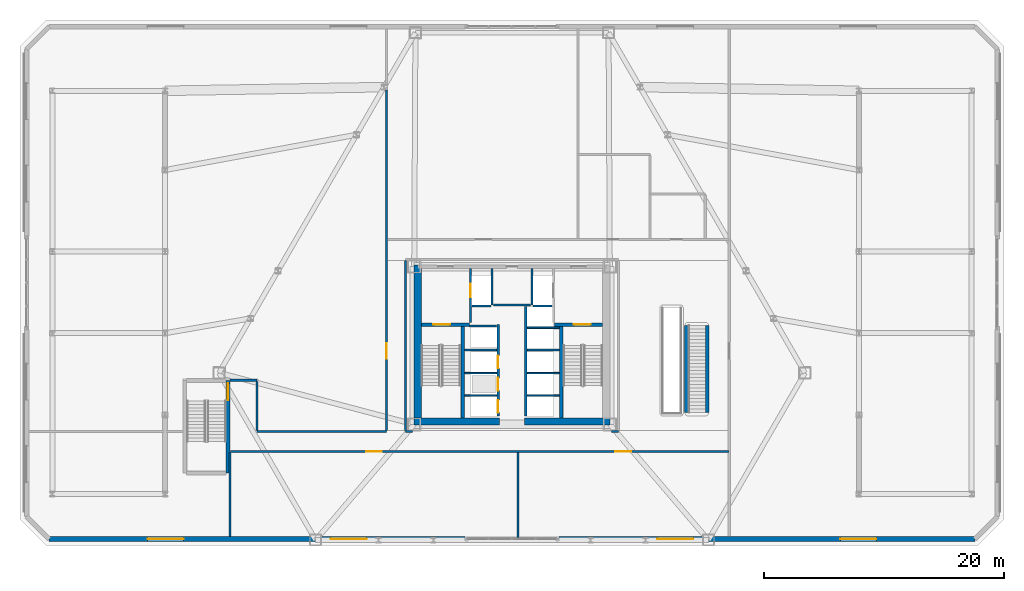
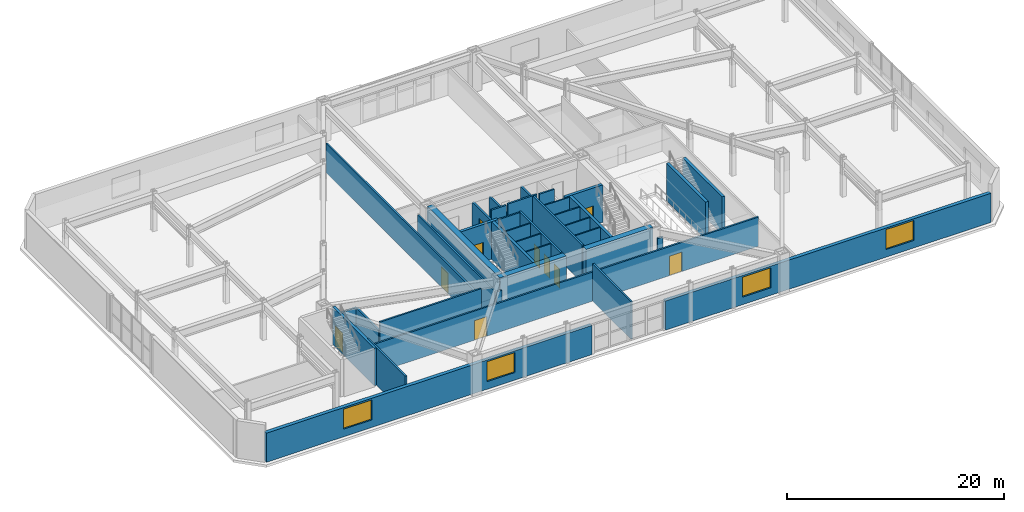
# One storey, part 14 of 21: 38 walls, 10 doors, 4 windows, 14 openings.
"""IFC4 building model written with IfcOpenShell, lengths in metres."""

from ifc_helpers import new_model, si_unit, direction, frame, frame_2d, origin, place, context, subcontext, project, spatial, rectangle, extrude, material, layer, layer_set, type_object, element, fill, save


model = new_model("IFC4")

# Units and contexts
model_context = context("Model", 3, precision=1e-05, world=origin(), true_north=direction((0.0, 1.0)))
body_context = subcontext(model_context, "Body", "Model", "MODEL_VIEW")
ifc_project = project(units=[si_unit("LENGTHUNIT", "METRE"), si_unit("AREAUNIT", "SQUARE_METRE"), si_unit("VOLUMEUNIT", "CUBIC_METRE"), si_unit("PLANEANGLEUNIT", "RADIAN"), si_unit("MASSUNIT", "GRAM", prefix="KILO")], contexts=[model_context])

# Site, building, storey
site_placement = place(None, origin())
site = spatial("IfcSite", under=ifc_project, at=site_placement, CompositionType="ELEMENT")
building_placement = place(site_placement, origin())
building = spatial("IfcBuilding", under=site, at=building_placement, Name="Oramaril Tower", CompositionType="ELEMENT")
storey_placement = place(building_placement, frame((0.0, 0.0, 5.39990234375)))
storey = spatial("IfcBuildingStorey", under=building, at=storey_placement, Name="L01", CompositionType="ELEMENT", Elevation=5.39990234375)

# Wall, openings, windows
ifc_material_1 = material(Name="Warm Cream Limestone", Category="masonry")
ifc_layer_1 = layer(ifc_material_1, 0.3798828125)
ifc_layer_set_1 = layer_set([ifc_layer_1], Name="WT-EXT38")
wall_type_1 = type_object("IfcWallType", Name="WT-EXT38", PredefinedType="SOLIDWALL", material=ifc_layer_set_1)
wall_1_placement = place(storey_placement, frame((-1.072265625, 1.449951171875, 0.0), z_axis=(0.0, 0.0, 1.0), x_axis=(1.0, 0.0, 0.0)))
wall_1 = element("IfcWall", 1, at=wall_1_placement, inside=storey, type_object=wall_type_1, Name="L01 Limestone Facade Wall EW-1A", PredefinedType="SOLIDWALL", context=body_context, shape_type="SweptSolid", body=[
    extrude(rectangle(XDim=34.67236328125, YDim=0.3798828125, at=frame_2d((17.336181640625, 0.0))), origin(), (0.0, 0.0, 1.0), 3.283203125),
])
opening_1_placement = place(wall_1_placement, frame((8.208251953125, 0.0, 0.85009765625)))
opening_1 = element("IfcOpeningElement", 2, at=opening_1_placement, cuts=wall_1, Name="Opening WN-10", PredefinedType="OPENING", context=body_context, shape_type="SweptSolid", body=[
    extrude(rectangle(XDim=3.0, YDim=2.25, at=frame_2d((1.5, 1.125))), frame((0.0, 0.18994140625, 0.0), z_axis=(0.0, -1.0, 0.0), x_axis=(1.0, 0.0, 0.0)), (0.0, 0.0, 1.0), 0.3798828125),
])
opening_2_placement = place(wall_1_placement, frame((23.464111328125, 0.0, 0.85009765625)))
opening_2 = element("IfcOpeningElement", 3, at=opening_2_placement, cuts=wall_1, Name="Opening WN-10", PredefinedType="OPENING", context=body_context, shape_type="SweptSolid", body=[
    extrude(rectangle(XDim=3.0, YDim=2.25, at=frame_2d((1.5, 1.125))), frame((0.0, 0.18994140625, 0.0), z_axis=(0.0, -1.0, 0.0), x_axis=(1.0, 0.0, 0.0)), (0.0, 0.0, 1.0), 0.3798828125),
])
ifc_material_2 = material(Name="Coastal Low-E Insulated Glass", Category="glass")
window_type = type_object("IfcWindowType", Name="WNT-10", PartitioningType="SINGLE_PANEL", PredefinedType="WINDOW", material=ifc_material_2)
window_1_placement = place(opening_1_placement, origin())
window_1 = element("IfcWindow", 4, at=window_1_placement, inside=storey, type_object=window_type, Name="L01 Podium Chicago Window", OverallHeight=2.25, OverallWidth=3.0, PartitioningType="SINGLE_PANEL", PredefinedType="WINDOW", context=body_context, shape_type="SweptSolid", body=[
    extrude(rectangle(XDim=3.0, YDim=2.25, at=frame_2d((1.5, 1.125))), frame((0.0, 0.030029296875, 0.0), z_axis=(0.0, -1.0, 0.0), x_axis=(1.0, 0.0, 0.0)), (0.0, 0.0, 1.0), 0.06005859375),
])
fill(opening_1, window_1)
window_2_placement = place(opening_2_placement, origin())
window_2 = element("IfcWindow", 5, at=window_2_placement, inside=storey, type_object=window_type, Name="L01 Podium Chicago Window", OverallHeight=2.25, OverallWidth=3.0, PartitioningType="SINGLE_PANEL", PredefinedType="WINDOW", context=body_context, shape_type="SweptSolid", body=[
    extrude(rectangle(XDim=3.0, YDim=2.25, at=frame_2d((1.5, 1.125))), frame((0.0, 0.030029296875, 0.0), z_axis=(0.0, -1.0, 0.0), x_axis=(1.0, 0.0, 0.0)), (0.0, 0.0, 1.0), 0.06005859375),
])
fill(opening_2, window_2)

wall_2_placement = place(storey_placement, frame((41.39990234375, 1.449951171875, 0.0), z_axis=(0.0, 0.0, 1.0), x_axis=(1.0, 0.0, 0.0)))
wall_2 = element("IfcWall", 6, at=wall_2_placement, inside=storey, type_object=wall_type_1, Name="L01 Limestone Facade Wall EW-1B", PredefinedType="SOLIDWALL", context=body_context, shape_type="SweptSolid", body=[
    extrude(rectangle(XDim=34.67236328125, YDim=0.3798828125, at=frame_2d((17.336181640625, 0.0))), origin(), (0.0, 0.0, 1.0), 3.283203125),
])
opening_3_placement = place(wall_2_placement, frame((8.208251953125, 0.0, 0.85009765625)))
opening_3 = element("IfcOpeningElement", 7, at=opening_3_placement, cuts=wall_2, Name="Opening WN-10", PredefinedType="OPENING", context=body_context, shape_type="SweptSolid", body=[
    extrude(rectangle(XDim=3.0, YDim=2.25, at=frame_2d((1.5, 1.125))), frame((0.0, 0.18994140625, 0.0), z_axis=(0.0, -1.0, 0.0), x_axis=(1.0, 0.0, 0.0)), (0.0, 0.0, 1.0), 0.3798828125),
])
opening_4_placement = place(wall_2_placement, frame((23.464111328125, 0.0, 0.85009765625)))
opening_4 = element("IfcOpeningElement", 8, at=opening_4_placement, cuts=wall_2, Name="Opening WN-10", PredefinedType="OPENING", context=body_context, shape_type="SweptSolid", body=[
    extrude(rectangle(XDim=3.0, YDim=2.25, at=frame_2d((1.5, 1.125))), frame((0.0, 0.18994140625, 0.0), z_axis=(0.0, -1.0, 0.0), x_axis=(1.0, 0.0, 0.0)), (0.0, 0.0, 1.0), 0.3798828125),
])
window_3_placement = place(opening_3_placement, origin())
window_3 = element("IfcWindow", 9, at=window_3_placement, inside=storey, type_object=window_type, Name="L01 Podium Chicago Window", OverallHeight=2.25, OverallWidth=3.0, PartitioningType="SINGLE_PANEL", PredefinedType="WINDOW", context=body_context, shape_type="SweptSolid", body=[
    extrude(rectangle(XDim=3.0, YDim=2.25, at=frame_2d((1.5, 1.125))), frame((0.0, 0.030029296875, 0.0), z_axis=(0.0, -1.0, 0.0), x_axis=(1.0, 0.0, 0.0)), (0.0, 0.0, 1.0), 0.06005859375),
])
fill(opening_3, window_3)
window_4_placement = place(opening_4_placement, origin())
window_4 = element("IfcWindow", 10, at=window_4_placement, inside=storey, type_object=window_type, Name="L01 Podium Chicago Window", OverallHeight=2.25, OverallWidth=3.0, PartitioningType="SINGLE_PANEL", PredefinedType="WINDOW", context=body_context, shape_type="SweptSolid", body=[
    extrude(rectangle(XDim=3.0, YDim=2.25, at=frame_2d((1.5, 1.125))), frame((0.0, 0.030029296875, 0.0), z_axis=(0.0, -1.0, 0.0), x_axis=(1.0, 0.0, 0.0)), (0.0, 0.0, 1.0), 0.06005859375),
])
fill(opening_4, window_4)

# Walls
ifc_material_3 = material(Name="Acoustic Gypsum Board Partition")
ifc_layer_2 = layer(ifc_material_3, 0.139892578125)
ifc_layer_set_2 = layer_set([ifc_layer_2], Name="WT-PT14")
wall_type_2 = type_object("IfcWallType", Name="WT-PT14", PredefinedType="PARTITIONING", material=ifc_layer_set_2)
for number, where, z_axis, x_axis, name in (
    (11, (33.56005859375, 13.419921875, 0.0), (0.0, 0.0, 1.0), (1.0, 0.0, 0.0), "L01 West Lift Divider"),
    (12, (33.56005859375, 15.27001953125, 0.0), (0.0, 0.0, 1.0), (1.0, 0.0, 0.0), "L01 West Lift Divider"),
    (13, (33.56005859375, 17.199951171875, 0.0), (0.0, 0.0, 1.0), (1.0, 0.0, 0.0), "L01 West Lift Divider"),
    (14, (38.780029296875, 13.419921875, 0.0), (0.0, 0.0, 1.0), (1.0, 0.0, 0.0), "L01 East Lift Divider"),
    (15, (38.780029296875, 15.27001953125, 0.0), (0.0, 0.0, 1.0), (1.0, 0.0, 0.0), "L01 East Lift Divider"),
    (16, (38.780029296875, 17.199951171875, 0.0), (0.0, 0.0, 1.0), (1.0, 0.0, 0.0), "L01 East Lift Divider"),
    (17, (38.780029296875, 19.050048828125, 0.0), (0.0, 0.0, 1.0), (1.0, 0.0, 0.0), "L01 East Lift Divider"),
):
    element("IfcWall", number, at=place(storey_placement, frame(where, z_axis=z_axis, x_axis=x_axis)), inside=storey, type_object=wall_type_2, Name=name, PredefinedType="PARTITIONING", context=body_context, shape_type="SweptSolid", body=[
        extrude(rectangle(XDim=2.659912109375, YDim=0.139892578125, at=frame_2d((1.330078125, 0.0))), origin(), (0.0, 0.0, 1.0), 4.22021484375),
    ])
ifc_material_4 = material(Name="Autoclaved Cellular Concrete Block", Category="concrete")
ifc_layer_3 = layer(ifc_material_4, 0.179931640625)
ifc_layer_set_3 = layer_set([ifc_layer_3], Name="WT-PT18")
wall_type_3 = type_object("IfcWallType", Name="WT-PT18", PredefinedType="PARTITIONING", material=ifc_layer_set_3)
wall_3_placement = place(storey_placement, frame((35.840087890625, 20.9599609375, 0.0), z_axis=(0.0, 0.0, 1.0), x_axis=(0.0, 1.0, 0.0)))
element("IfcWall", 18, at=wall_3_placement, inside=storey, type_object=wall_type_3, Name="L01 FL-1 East Shaft Wall", PredefinedType="PARTITIONING", context=body_context, shape_type="SweptSolid", body=[
    extrude(rectangle(XDim=3.02001953125, YDim=0.179931640625, at=frame_2d((1.510009765625, 0.0))), origin(), (0.0, 0.0, 1.0), 3.260009765625),
])
wall_4_placement = place(storey_placement, frame((34.159912109375, 20.860107421875, 0.0), z_axis=(0.0, 0.0, 1.0), x_axis=(1.0, 0.0, 0.0)))
element("IfcWall", 19, at=wall_4_placement, inside=storey, type_object=wall_type_3, Name="L01 FL-1 South Shaft Wall", PredefinedType="PARTITIONING", context=body_context, shape_type="SweptSolid", body=[
    extrude(rectangle(XDim=1.580078125, YDim=0.179931640625, at=frame_2d((0.7900390625, 0.0))), origin(), (0.0, 0.0, 1.0), 4.22021484375),
])
wall_5_placement = place(storey_placement, frame((39.159912109375, 20.9599609375, 0.0), z_axis=(0.0, 0.0, 1.0), x_axis=(0.0, 1.0, 0.0)))
element("IfcWall", 20, at=wall_5_placement, inside=storey, type_object=wall_type_3, Name="L01 FL-2 West Shaft Wall", PredefinedType="PARTITIONING", context=body_context, shape_type="SweptSolid", body=[
    extrude(rectangle(XDim=3.02001953125, YDim=0.179931640625, at=frame_2d((1.510009765625, 0.0))), origin(), (0.0, 0.0, 1.0), 3.260009765625),
])
wall_6_placement = place(storey_placement, frame((39.260009765625, 20.860107421875, 0.0), z_axis=(0.0, 0.0, 1.0), x_axis=(1.0, 0.0, 0.0)))
element("IfcWall", 21, at=wall_6_placement, inside=storey, type_object=wall_type_3, Name="L01 FL-2 South Shaft Wall", PredefinedType="PARTITIONING", context=body_context, shape_type="SweptSolid", body=[
    extrude(rectangle(XDim=1.580078125, YDim=0.179931640625, at=frame_2d((0.7900390625, 0.0))), origin(), (0.0, 0.0, 1.0), 4.22021484375),
])
wall_7_placement = place(storey_placement, frame((33.949951171875, 19.199951171875, 0.0), z_axis=(0.0, 0.0, 1.0), x_axis=(1.0, 0.0, 0.0)))
element("IfcWall", 22, at=wall_7_placement, inside=storey, type_object=wall_type_3, Name="L01 High-Rise Lift H1 North Shaft Wall", PredefinedType="PARTITIONING", context=body_context, shape_type="SweptSolid", body=[
    extrude(rectangle(XDim=2.27001953125, YDim=0.179931640625, at=frame_2d((1.135009765625, 0.0))), origin(), (0.0, 0.0, 1.0), 4.22021484375),
])
wall_8_placement = place(storey_placement, frame((35.949951171875, 20.949951171875, 0.0), z_axis=(0.0, 0.0, 1.0), x_axis=(1.0, 0.0, 0.0)))
element("IfcWall", 23, at=wall_8_placement, inside=storey, type_object=wall_type_3, Name="L01 Lift Lobby North Partition", PredefinedType="PARTITIONING", context=body_context, shape_type="SweptSolid", body=[
    extrude(rectangle(XDim=3.10009765625, YDim=0.179931640625, at=frame_2d((1.550048828125, 0.0))), origin(), (0.0, 0.0, 1.0), 4.22021484375),
])

# Wall, openings, doors
wall_9_placement = place(storey_placement, frame((14.030029296875, 8.75, 0.0), z_axis=(0.0, 0.0, 1.0), x_axis=(1.0, 0.0, 0.0)))
wall_9 = element("IfcWall", 24, at=wall_9_placement, inside=storey, type_object=wall_type_3, Name="L01 Interior Partition PT-18", PredefinedType="PARTITIONING", context=body_context, shape_type="SweptSolid", body=[
    extrude(rectangle(XDim=41.570068359375, YDim=0.179931640625, at=frame_2d((20.78515625, 0.0))), origin(), (0.0, 0.0, 1.0), 3.283203125),
])
opening_5_placement = place(wall_9_placement, frame((11.3359375, 0.0, 0.0)))
opening_5 = element("IfcOpeningElement", 25, at=opening_5_placement, cuts=wall_9, Name="Opening D-L01-01", PredefinedType="OPENING", context=body_context, shape_type="SweptSolid", body=[
    extrude(rectangle(XDim=1.300048828125, YDim=2.199951171875, at=frame_2d((0.64990234375, 1.10009765625))), frame((0.0, 0.08984375, 0.0), z_axis=(0.0, -1.0, 0.0), x_axis=(1.0, 0.0, 0.0)), (0.0, 0.0, 1.0), 0.179931640625),
])
opening_6_placement = place(wall_9_placement, frame((32.093994140625, 0.0, 0.0)))
opening_6 = element("IfcOpeningElement", 26, at=opening_6_placement, cuts=wall_9, Name="Opening D-L01-02", PredefinedType="OPENING", context=body_context, shape_type="SweptSolid", body=[
    extrude(rectangle(XDim=1.300048828125, YDim=2.199951171875, at=frame_2d((0.64990234375, 1.10009765625))), frame((0.0, 0.08984375, 0.0), z_axis=(0.0, -1.0, 0.0), x_axis=(1.0, 0.0, 0.0)), (0.0, 0.0, 1.0), 0.179931640625),
])
ifc_material_5 = material(Name="FSC Brazilian Freijo Hardwood", Category="wood")
door_type_1 = type_object("IfcDoorType", Name="DT-COM", OperationType="NOTDEFINED", PredefinedType="DOOR", material=ifc_material_5)
door_1_placement = place(opening_5_placement, origin())
door_1 = element("IfcDoor", 27, at=door_1_placement, inside=storey, type_object=door_type_1, Name="L01 L01 Residents Cowork Gallery Door D-L01-01", OperationType="SINGLE_SWING_LEFT", OverallHeight=2.199951171875, OverallWidth=1.300048828125, PredefinedType="DOOR", context=body_context, shape_type="SweptSolid", body=[
    extrude(rectangle(XDim=1.300048828125, YDim=2.199951171875, at=frame_2d((0.64990234375, 1.10009765625))), frame((0.0, 0.02490234375, 0.0), z_axis=(0.0, -1.0, 0.0), x_axis=(1.0, 0.0, 0.0)), (0.0, 0.0, 1.0), 0.050048828125),
])
fill(opening_5, door_1)
door_2_placement = place(opening_6_placement, origin())
door_2 = element("IfcDoor", 28, at=door_2_placement, inside=storey, type_object=door_type_1, Name="L01 L01 Condominium Meeting Suite Door D-L01-02", OperationType="SINGLE_SWING_RIGHT", OverallHeight=2.199951171875, OverallWidth=1.300048828125, PredefinedType="DOOR", context=body_context, shape_type="SweptSolid", body=[
    extrude(rectangle(XDim=1.300048828125, YDim=2.199951171875, at=frame_2d((0.64990234375, 1.10009765625))), frame((0.0, 0.02490234375, 0.0), z_axis=(0.0, -1.0, 0.0), x_axis=(1.0, 0.0, 0.0)), (0.0, 0.0, 1.0), 0.050048828125),
])
fill(opening_6, door_2)

# Walls
wall_10_placement = place(storey_placement, frame((16.25, 10.39990234375, 0.0), z_axis=(0.0, 0.0, 1.0), x_axis=(1.0, 0.0, 0.0)))
element("IfcWall", 29, at=wall_10_placement, inside=storey, type_object=wall_type_3, Name="L01 Interior Partition PT-18", PredefinedType="PARTITIONING", context=body_context, shape_type="SweptSolid", body=[
    extrude(rectangle(XDim=10.800048828125, YDim=0.179931640625, at=frame_2d((5.39990234375, 0.0))), origin(), (0.0, 0.0, 1.0), 4.22021484375),
])
for number, where, z_axis, x_axis, name in (
    (30, (28.6201171875, 10.39990234375, 0.0), (0.0, 0.0, 1.0), (1.0, 0.0, 0.0), "L01 Interior Partition PT-18"),
    (31, (45.800048828125, 10.39990234375, 0.0), (0.0, 0.0, 1.0), (1.0, 0.0, 0.0), "L01 Interior Partition PT-18"),
):
    element("IfcWall", number, at=place(storey_placement, frame(where, z_axis=z_axis, x_axis=x_axis)), inside=storey, type_object=wall_type_3, Name=name, PredefinedType="PARTITIONING", context=body_context, shape_type="SweptSolid", body=[
        extrude(rectangle(XDim=0.579833984375, YDim=0.179931640625, at=frame_2d((0.2900390625, 0.0))), origin(), (0.0, 0.0, 1.0), 3.283203125),
    ])
wall_11_placement = place(storey_placement, frame((13.989990234375, 14.679931640625, 0.0), z_axis=(0.0, 0.0, 1.0), x_axis=(1.0, 0.0, 0.0)))
element("IfcWall", 32, at=wall_11_placement, inside=storey, type_object=wall_type_3, Name="L01 Interior Partition PT-18", PredefinedType="PARTITIONING", context=body_context, shape_type="SweptSolid", body=[
    extrude(rectangle(XDim=2.260009765625, YDim=0.179931640625, at=frame_2d((1.1298828125, 0.0))), origin(), (0.0, 0.0, 1.0), 3.283203125),
])
wall_12_placement = place(storey_placement, frame((14.0, 1.64404296875, 0.0), z_axis=(0.0, 0.0, 1.0), x_axis=(0.0, 1.0, 0.0)))
element("IfcWall", 33, at=wall_12_placement, inside=storey, type_object=wall_type_3, Name="L01 Interior Partition PT-18", PredefinedType="PARTITIONING", context=body_context, shape_type="SweptSolid", body=[
    extrude(rectangle(XDim=7.011962890625, YDim=0.179931640625, at=frame_2d((3.505859375, 0.0))), origin(), (0.0, 0.0, 1.0), 4.22021484375),
])
wall_13_placement = place(storey_placement, frame((16.25, 10.493896484375, 0.0), z_axis=(0.0, 0.0, 1.0), x_axis=(0.0, 1.0, 0.0)))
element("IfcWall", 34, at=wall_13_placement, inside=storey, type_object=wall_type_3, Name="L01 Interior Partition PT-18", PredefinedType="PARTITIONING", context=body_context, shape_type="SweptSolid", body=[
    extrude(rectangle(XDim=4.092041015625, YDim=0.179931640625, at=frame_2d((2.0458984375, 0.0))), origin(), (0.0, 0.0, 1.0), 3.283203125),
])

# Wall, opening, door
wall_14_placement = place(storey_placement, frame((27.050048828125, 10.493896484375, 0.0), z_axis=(0.0, 0.0, 1.0), x_axis=(0.0, 1.0, 0.0)))
wall_14 = element("IfcWall", 35, at=wall_14_placement, inside=storey, type_object=wall_type_3, Name="L01 Interior Partition PT-18", PredefinedType="PARTITIONING", context=body_context, shape_type="SweptSolid", body=[
    extrude(rectangle(XDim=28.3857421875, YDim=0.179931640625, at=frame_2d((14.19287109375, 0.0))), origin(), (0.0, 0.0, 1.0), 3.283203125),
])
opening_7_placement = place(wall_14_placement, frame((5.9853515625, 0.0, 0.0)))
opening_7 = element("IfcOpeningElement", 36, at=opening_7_placement, cuts=wall_14, Name="Opening D-L01-06", PredefinedType="OPENING", context=body_context, shape_type="SweptSolid", body=[
    extrude(rectangle(XDim=1.300048828125, YDim=2.199951171875, at=frame_2d((0.64990234375, 1.10009765625))), frame((0.0, 0.08984375, 0.0), z_axis=(0.0, -1.0, 0.0), x_axis=(1.0, 0.0, 0.0)), (0.0, 0.0, 1.0), 0.179931640625),
])
door_3_placement = place(opening_7_placement, origin())
door_3 = element("IfcDoor", 37, at=door_3_placement, inside=storey, type_object=door_type_1, Name="L01 L01 Residents Library Lounge Door D-L01-06", OperationType="SINGLE_SWING_RIGHT", OverallHeight=2.199951171875, OverallWidth=1.300048828125, PredefinedType="DOOR", context=body_context, shape_type="SweptSolid", body=[
    extrude(rectangle(XDim=1.300048828125, YDim=2.199951171875, at=frame_2d((0.64990234375, 1.10009765625))), frame((0.0, 0.02490234375, 0.0), z_axis=(0.0, -1.0, 0.0), x_axis=(1.0, 0.0, 0.0)), (0.0, 0.0, 1.0), 0.050048828125),
])
fill(opening_7, door_3)

# Walls
wall_15_placement = place(storey_placement, frame((28.6201171875, 10.493896484375, 0.0), z_axis=(0.0, 0.0, 1.0), x_axis=(0.0, 1.0, 0.0)))
element("IfcWall", 38, at=wall_15_placement, inside=storey, type_object=wall_type_3, Name="L01 Interior Partition PT-18", PredefinedType="PARTITIONING", context=body_context, shape_type="SweptSolid", body=[
    extrude(rectangle(XDim=14.162109375, YDim=0.179931640625, at=frame_2d((7.0810546875, 0.0))), origin(), (0.0, 0.0, 1.0), 3.283203125),
])
wall_16_placement = place(storey_placement, frame((38.0, 1.56396484375, 0.0), z_axis=(0.0, 0.0, 1.0), x_axis=(0.0, 1.0, 0.0)))
element("IfcWall", 39, at=wall_16_placement, inside=storey, type_object=wall_type_3, Name="L01 Interior Partition PT-18", PredefinedType="PARTITIONING", context=body_context, shape_type="SweptSolid", body=[
    extrude(rectangle(XDim=7.092041015625, YDim=0.179931640625, at=frame_2d((3.5458984375, 0.0))), origin(), (0.0, 0.0, 1.0), 4.22021484375),
])

# Wall, opening, door
ifc_material_6 = material(Name="Concrete C50/60", Category="concrete")
ifc_layer_4 = layer(ifc_material_6, 0.300048828125)
ifc_layer_set_4 = layer_set([ifc_layer_4], Name="WT-SH30")
wall_type_4 = type_object("IfcWallType", Name="WT-SH30", PredefinedType="SHEAR", material=ifc_layer_set_4)
wall_17_placement = place(storey_placement, frame((29.93994140625, 19.31005859375, 0.0), z_axis=(0.0, 0.0, 1.0), x_axis=(1.0, 0.0, 0.0)))
wall_17 = element("IfcWall", 40, at=wall_17_placement, inside=storey, type_object=wall_type_4, Name="L01 Core Shear Wall CW-ST1N", PredefinedType="SHEAR", context=body_context, shape_type="SweptSolid", body=[
    extrude(rectangle(XDim=4.010009765625, YDim=0.300048828125, at=frame_2d((2.0048828125, 0.0))), origin(), (0.0, 0.0, 1.0), 4.22021484375),
])
opening_8_placement = place(wall_17_placement, frame((1.010009765625, 0.0, 0.0)))
opening_8 = element("IfcOpeningElement", 41, at=opening_8_placement, cuts=wall_17, Name="Opening D-L01-ST1", PredefinedType="OPENING", context=body_context, shape_type="SweptSolid", body=[
    extrude(rectangle(XDim=1.39990234375, YDim=2.199951171875, at=frame_2d((0.699951171875, 1.10009765625))), frame((0.0, 0.14990234375, 0.0), z_axis=(0.0, -1.0, 0.0), x_axis=(1.0, 0.0, 0.0)), (0.0, 0.0, 1.0), 0.300048828125),
])
ifc_material_7 = material(Name="Painted Galvanised Steel", Category="steel")
door_type_2 = type_object("IfcDoorType", Name="DT-ST", OperationType="NOTDEFINED", PredefinedType="DOOR", material=ifc_material_7)
door_4_placement = place(opening_8_placement, origin())
door_4 = element("IfcDoor", 42, at=door_4_placement, inside=storey, type_object=door_type_2, Name="L01 Protected Stair ST-1 Fire Door", OperationType="SINGLE_SWING_LEFT", OverallHeight=2.199951171875, OverallWidth=1.39990234375, PredefinedType="DOOR", context=body_context, shape_type="SweptSolid", body=[
    extrude(rectangle(XDim=1.39990234375, YDim=2.199951171875, at=frame_2d((0.699951171875, 1.10009765625))), frame((0.0, 0.02490234375, 0.0), z_axis=(0.0, -1.0, 0.0), x_axis=(1.0, 0.0, 0.0)), (0.0, 0.0, 1.0), 0.050048828125),
])
fill(opening_8, door_4)

wall_18_placement = place(storey_placement, frame((41.050048828125, 19.31005859375, 0.0), z_axis=(0.0, 0.0, 1.0), x_axis=(1.0, 0.0, 0.0)))
wall_18 = element("IfcWall", 43, at=wall_18_placement, inside=storey, type_object=wall_type_4, Name="L01 Core Shear Wall CW-ST2N", PredefinedType="SHEAR", context=body_context, shape_type="SweptSolid", body=[
    extrude(rectangle(XDim=4.010009765625, YDim=0.300048828125, at=frame_2d((2.0048828125, 0.0))), origin(), (0.0, 0.0, 1.0), 4.22021484375),
])
opening_9_placement = place(wall_18_placement, frame((1.60009765625, 0.0, 0.0)))
opening_9 = element("IfcOpeningElement", 44, at=opening_9_placement, cuts=wall_18, Name="Opening D-L01-ST2", PredefinedType="OPENING", context=body_context, shape_type="SweptSolid", body=[
    extrude(rectangle(XDim=1.39990234375, YDim=2.199951171875, at=frame_2d((0.699951171875, 1.10009765625))), frame((0.0, 0.14990234375, 0.0), z_axis=(0.0, -1.0, 0.0), x_axis=(1.0, 0.0, 0.0)), (0.0, 0.0, 1.0), 0.300048828125),
])
door_5_placement = place(opening_9_placement, origin())
door_5 = element("IfcDoor", 45, at=door_5_placement, inside=storey, type_object=door_type_2, Name="L01 Protected Stair ST-2 Fire Door", OperationType="SINGLE_SWING_RIGHT", OverallHeight=2.199951171875, OverallWidth=1.39990234375, PredefinedType="DOOR", context=body_context, shape_type="SweptSolid", body=[
    extrude(rectangle(XDim=1.39990234375, YDim=2.199951171875, at=frame_2d((0.699951171875, 1.10009765625))), frame((0.0, 0.02490234375, 0.0), z_axis=(0.0, -1.0, 0.0), x_axis=(1.0, 0.0, 0.0)), (0.0, 0.0, 1.0), 0.050048828125),
])
fill(opening_9, door_5)

# Walls
for number, where, z_axis, x_axis, name in (
    (46, (33.3798828125, 11.5400390625, 0.0), (0.0, 0.0, 1.0), (0.0, 1.0, 0.0), "L01 Core Shear Wall CW-ST1E"),
    (47, (41.6201171875, 11.5400390625, 0.0), (0.0, 0.0, 1.0), (0.0, 1.0, 0.0), "L01 Core Shear Wall CW-ST2W"),
):
    element("IfcWall", number, at=place(storey_placement, frame(where, z_axis=z_axis, x_axis=x_axis)), inside=storey, type_object=wall_type_4, Name=name, PredefinedType="SHEAR", context=body_context, shape_type="SweptSolid", body=[
        extrude(rectangle(XDim=7.619873046875, YDim=0.300048828125, at=frame_2d((3.81005859375, 0.0))), origin(), (0.0, 0.0, 1.0), 4.22021484375),
    ])

# Wall, opening, door
wall_19_placement = place(storey_placement, frame((13.830078125, 6.93994140625, 0.0), z_axis=(0.0, 0.0, 1.0), x_axis=(0.0, 1.0, 0.0)))
wall_19 = element("IfcWall", 48, at=wall_19_placement, inside=storey, type_object=wall_type_4, Name="L01 Stair ST-3 Shear Wall ST3E", PredefinedType="SHEAR", context=body_context, shape_type="SweptSolid", body=[
    extrude(rectangle(XDim=7.719970703125, YDim=0.300048828125, at=frame_2d((3.85986328125, 0.0))), origin(), (0.0, 0.0, 1.0), 4.22021484375),
])
opening_10_placement = place(wall_19_placement, frame((6.080078125, 0.0, 0.0)))
opening_10 = element("IfcOpeningElement", 49, at=opening_10_placement, cuts=wall_19, Name="Opening D-L01-ST3", PredefinedType="OPENING", context=body_context, shape_type="SweptSolid", body=[
    extrude(rectangle(XDim=1.39990234375, YDim=2.199951171875, at=frame_2d((0.699951171875, 1.10009765625))), frame((0.0, 0.14990234375, 0.0), z_axis=(0.0, -1.0, 0.0), x_axis=(1.0, 0.0, 0.0)), (0.0, 0.0, 1.0), 0.300048828125),
])
door_6_placement = place(opening_10_placement, origin())
door_6 = element("IfcDoor", 50, at=door_6_placement, inside=storey, type_object=door_type_2, Name="L01 Stair ST-3 Protected Door", OperationType="SINGLE_SWING_RIGHT", OverallHeight=2.199951171875, OverallWidth=1.39990234375, PredefinedType="DOOR", context=body_context, shape_type="SweptSolid", body=[
    extrude(rectangle(XDim=1.39990234375, YDim=2.199951171875, at=frame_2d((0.699951171875, 1.10009765625))), frame((0.0, 0.02490234375, 0.0), z_axis=(0.0, -1.0, 0.0), x_axis=(1.0, 0.0, 0.0)), (0.0, 0.0, 1.0), 0.050048828125),
])
fill(opening_10, door_6)

# Walls
for number, where, z_axis, x_axis, name in (
    (51, (52.034912109375, 12.0, 0.0), (0.0, 0.0, 1.0), (0.0, 1.0, 0.0), "L01 Feature Stair ST-4B Support Wall L"),
    (52, (53.764892578125, 12.0, 0.0), (0.0, 0.0, 1.0), (0.0, 1.0, 0.0), "L01 Feature Stair ST-4B Support Wall R"),
):
    element("IfcWall", number, at=place(storey_placement, frame(where, z_axis=z_axis, x_axis=x_axis)), inside=storey, type_object=wall_type_4, Name=name, PredefinedType="SHEAR", context=body_context, shape_type="SweptSolid", body=[
        extrude(rectangle(XDim=7.25, YDim=0.300048828125, at=frame_2d((3.625, 0.0))), origin(), (0.0, 0.0, 1.0), 4.22021484375),
    ])
ifc_material_8 = material(Name="Concrete C50/60", Category="concrete")
ifc_layer_5 = layer(ifc_material_8, 0.60009765625)
ifc_layer_set_5 = layer_set([ifc_layer_5], Name="WT-SH60")
wall_type_5 = type_object("IfcWallType", Name="WT-SH60", PredefinedType="SHEAR", material=ifc_layer_set_5)
wall_20_placement = place(storey_placement, frame((29.639892578125, 11.0, 0.0), z_axis=(0.0, 0.0, 1.0), x_axis=(0.0, 1.0, 0.0)))
element("IfcWall", 53, at=wall_20_placement, inside=storey, type_object=wall_type_5, Name="L01 Core Shear Wall CW-W", PredefinedType="SHEAR", context=body_context, shape_type="SweptSolid", body=[
    extrude(rectangle(XDim=13.300048828125, YDim=0.60009765625, at=frame_2d((6.64990234375, 0.0))), origin(), (0.0, 0.0, 1.0), 4.22021484375),
])
for number, where, z_axis, x_axis, name in (
    (54, (29.35009765625, 11.239990234375, 0.0), (0.0, 0.0, 1.0), (1.0, 0.0, 0.0), "L01 Core Shear Wall CW-SW"),
    (55, (38.550048828125, 11.239990234375, 0.0), (0.0, 0.0, 1.0), (1.0, 0.0, 0.0), "L01 Core Shear Wall CW-SE"),
):
    element("IfcWall", number, at=place(storey_placement, frame(where, z_axis=z_axis, x_axis=x_axis)), inside=storey, type_object=wall_type_5, Name=name, PredefinedType="SHEAR", context=body_context, shape_type="SweptSolid", body=[
        extrude(rectangle(XDim=7.099853515625, YDim=0.60009765625, at=frame_2d((3.5498046875, 0.0))), origin(), (0.0, 0.0, 1.0), 4.22021484375),
    ])

# Wall, opening, door
ifc_material_9 = material(Name="Autoclaved Cellular Concrete Block", Category="concrete")
ifc_layer_6 = layer(ifc_material_9, 0.199951171875)
ifc_layer_set_6 = layer_set([ifc_layer_6], Name="WT-SHF20")
wall_type_6 = type_object("IfcWallType", Name="WT-SHF20", PredefinedType="PARTITIONING", material=ifc_layer_set_6)
wall_21_placement = place(storey_placement, frame((34.0400390625, 19.47998046875, 0.0), z_axis=(0.0, 0.0, 1.0), x_axis=(0.0, 1.0, 0.0)))
wall_21 = element("IfcWall", 56, at=wall_21_placement, inside=storey, type_object=wall_type_6, Name="L01 FL-1 Lobby Shaft Wall", PredefinedType="PARTITIONING", context=body_context, shape_type="SweptSolid", body=[
    extrude(rectangle(XDim=4.5, YDim=0.199951171875, at=frame_2d((2.25, 0.0))), origin(), (0.0, 0.0, 1.0), 3.260009765625),
])
opening_11_placement = place(wall_21_placement, frame((2.1201171875, 0.0, 0.0)))
opening_11 = element("IfcOpeningElement", 57, at=opening_11_placement, cuts=wall_21, Name="Opening LD-L01-FL-1", PredefinedType="OPENING", context=body_context, shape_type="SweptSolid", body=[
    extrude(rectangle(XDim=1.10009765625, YDim=2.199951171875, at=frame_2d((0.550048828125, 1.10009765625))), frame((0.0, 0.10009765625, 0.0), z_axis=(0.0, -1.0, 0.0), x_axis=(1.0, 0.0, 0.0)), (0.0, 0.0, 1.0), 0.199951171875),
])
ifc_material_10 = material(Name="Stainless Steel 316L", Category="steel")
door_type_3 = type_object("IfcDoorType", Name="DT-LD1", OperationType="NOTDEFINED", PredefinedType="DOOR", material=ifc_material_10)
door_7_placement = place(opening_11_placement, origin())
door_7 = element("IfcDoor", 58, at=door_7_placement, inside=storey, type_object=door_type_3, Name="L01 Lift FL-1 Sliding Landing Door", OperationType="SLIDING_TO_LEFT", OverallHeight=2.199951171875, OverallWidth=1.10009765625, PredefinedType="DOOR", context=body_context, shape_type="SweptSolid", body=[
    extrude(rectangle(XDim=1.10009765625, YDim=2.199951171875, at=frame_2d((0.550048828125, 1.10009765625))), frame((0.0, 0.02490234375, 0.0), z_axis=(0.0, -1.0, 0.0), x_axis=(1.0, 0.0, 0.0)), (0.0, 0.0, 1.0), 0.050048828125),
])
fill(opening_11, door_7)

# Wall, openings, doors
wall_22_placement = place(storey_placement, frame((36.340087890625, 11.719970703125, 0.0), z_axis=(0.0, 0.0, 1.0), x_axis=(0.0, 1.0, 0.0)))
wall_22 = element("IfcWall", 59, at=wall_22_placement, inside=storey, type_object=wall_type_6, Name="L01 West Lift Bank Front Wall", PredefinedType="PARTITIONING", context=body_context, shape_type="SweptSolid", body=[
    extrude(rectangle(XDim=7.60009765625, YDim=0.199951171875, at=frame_2d((3.800048828125, 0.0))), origin(), (0.0, 0.0, 1.0), 4.22021484375),
])
opening_12_placement = place(wall_22_placement, frame((0.2548828125, 0.0, 0.0)))
opening_12 = element("IfcOpeningElement", 60, at=opening_12_placement, cuts=wall_22, Name="Opening LD-L01-LP-L1", PredefinedType="OPENING", context=body_context, shape_type="SweptSolid", body=[
    extrude(rectangle(XDim=1.050048828125, YDim=2.14990234375, at=frame_2d((0.52490234375, 1.074951171875))), frame((0.0, 0.10009765625, 0.0), z_axis=(0.0, -1.0, 0.0), x_axis=(1.0, 0.0, 0.0)), (0.0, 0.0, 1.0), 0.199951171875),
])
opening_13_placement = place(wall_22_placement, frame((2.10498046875, 0.0, 0.0)))
opening_13 = element("IfcOpeningElement", 61, at=opening_13_placement, cuts=wall_22, Name="Opening LD-L01-LP-L2", PredefinedType="OPENING", context=body_context, shape_type="SweptSolid", body=[
    extrude(rectangle(XDim=1.050048828125, YDim=2.14990234375, at=frame_2d((0.52490234375, 1.074951171875))), frame((0.0, 0.10009765625, 0.0), z_axis=(0.0, -1.0, 0.0), x_axis=(1.0, 0.0, 0.0)), (0.0, 0.0, 1.0), 0.199951171875),
])
opening_14_placement = place(wall_22_placement, frame((3.955078125, 0.0, 0.0)))
opening_14 = element("IfcOpeningElement", 62, at=opening_14_placement, cuts=wall_22, Name="Opening LD-L01-LP-L3", PredefinedType="OPENING", context=body_context, shape_type="SweptSolid", body=[
    extrude(rectangle(XDim=1.050048828125, YDim=2.14990234375, at=frame_2d((0.52490234375, 1.074951171875))), frame((0.0, 0.10009765625, 0.0), z_axis=(0.0, -1.0, 0.0), x_axis=(1.0, 0.0, 0.0)), (0.0, 0.0, 1.0), 0.199951171875),
])
ifc_material_11 = material(Name="Stainless Steel 316L", Category="steel")
door_type_4 = type_object("IfcDoorType", Name="DT-LD2", OperationType="NOTDEFINED", PredefinedType="DOOR", material=ifc_material_11)
door_8_placement = place(opening_12_placement, origin())
door_8 = element("IfcDoor", 63, at=door_8_placement, inside=storey, type_object=door_type_4, Name="L01 Lift LP-L1 Sliding Landing Door", OperationType="SLIDING_TO_LEFT", OverallHeight=2.14990234375, OverallWidth=1.050048828125, PredefinedType="DOOR", context=body_context, shape_type="SweptSolid", body=[
    extrude(rectangle(XDim=1.050048828125, YDim=2.14990234375, at=frame_2d((0.52490234375, 1.074951171875))), frame((0.0, 0.02490234375, 0.0), z_axis=(0.0, -1.0, 0.0), x_axis=(1.0, 0.0, 0.0)), (0.0, 0.0, 1.0), 0.050048828125),
])
fill(opening_12, door_8)
door_9_placement = place(opening_13_placement, origin())
door_9 = element("IfcDoor", 64, at=door_9_placement, inside=storey, type_object=door_type_4, Name="L01 Lift LP-L2 Sliding Landing Door", OperationType="SLIDING_TO_RIGHT", OverallHeight=2.14990234375, OverallWidth=1.050048828125, PredefinedType="DOOR", context=body_context, shape_type="SweptSolid", body=[
    extrude(rectangle(XDim=1.050048828125, YDim=2.14990234375, at=frame_2d((0.52490234375, 1.074951171875))), frame((0.0, 0.02490234375, 0.0), z_axis=(0.0, -1.0, 0.0), x_axis=(1.0, 0.0, 0.0)), (0.0, 0.0, 1.0), 0.050048828125),
])
fill(opening_13, door_9)
door_10_placement = place(opening_14_placement, origin())
door_10 = element("IfcDoor", 65, at=door_10_placement, inside=storey, type_object=door_type_4, Name="L01 Lift LP-L3 Sliding Landing Door", OperationType="SLIDING_TO_LEFT", OverallHeight=2.14990234375, OverallWidth=1.050048828125, PredefinedType="DOOR", context=body_context, shape_type="SweptSolid", body=[
    extrude(rectangle(XDim=1.050048828125, YDim=2.14990234375, at=frame_2d((0.52490234375, 1.074951171875))), frame((0.0, 0.02490234375, 0.0), z_axis=(0.0, -1.0, 0.0), x_axis=(1.0, 0.0, 0.0)), (0.0, 0.0, 1.0), 0.050048828125),
])
fill(opening_14, door_10)

# Wall
wall_23_placement = place(storey_placement, frame((38.659912109375, 11.719970703125, 0.0), z_axis=(0.0, 0.0, 1.0), x_axis=(0.0, 1.0, 0.0)))
element("IfcWall", 66, at=wall_23_placement, inside=storey, type_object=wall_type_6, Name="L01 East Lift Bank Front Wall", PredefinedType="PARTITIONING", context=body_context, shape_type="SweptSolid", body=[
    extrude(rectangle(XDim=9.10009765625, YDim=0.199951171875, at=frame_2d((4.550048828125, 0.0))), origin(), (0.0, 0.0, 1.0), 4.22021484375),
])

save(model, "model.ifc")
